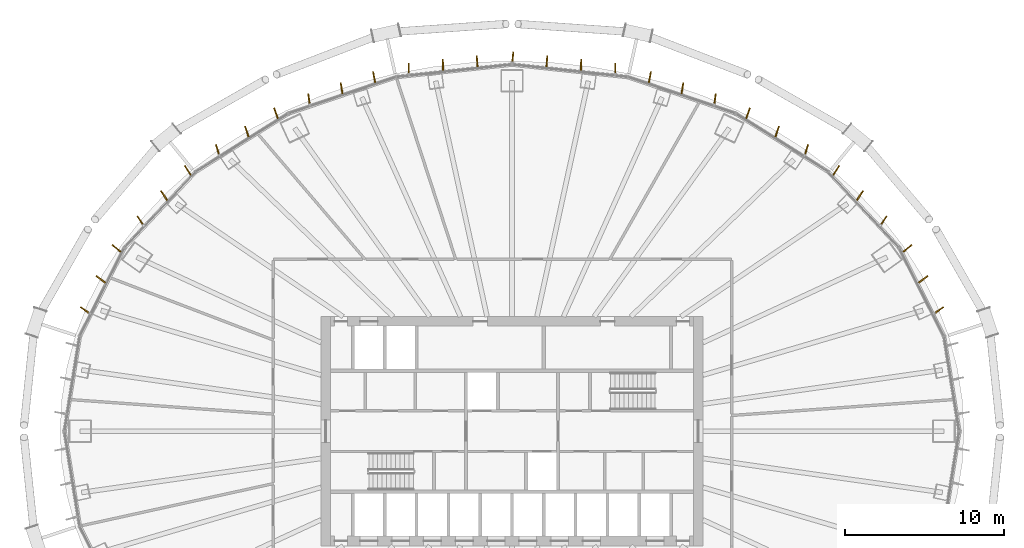
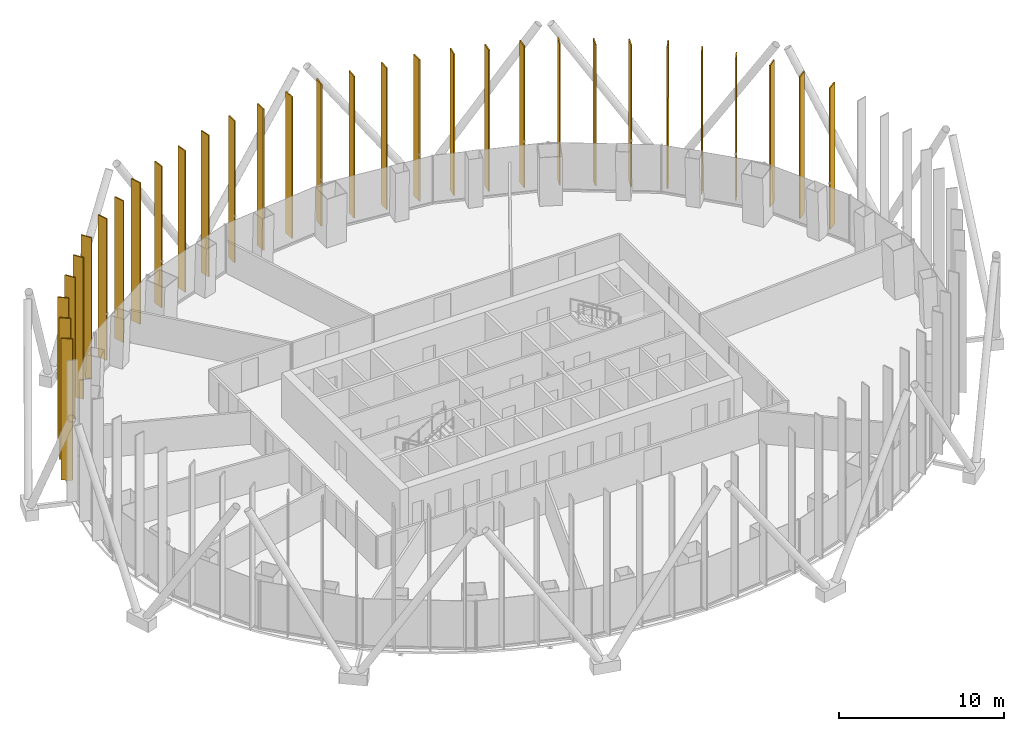
# One storey, part 22 of 22: 31 shading devices.
"""IFC4 building model written with IfcOpenShell, lengths in metres."""

from ifc_helpers import new_model, si_unit, direction, frame, origin, origin_2d, place, context, subcontext, project, spatial, rectangle, extrude, material, layer, layer_set, type_object, element, save


model = new_model("IFC4")

# Units and contexts
model_context = context("Model", 3, precision=1e-05, world=origin(), true_north=direction((0.0, 1.0)))
body_context = subcontext(model_context, "Body", "Model", "MODEL_VIEW")
ifc_project = project(units=[si_unit("LENGTHUNIT", "METRE"), si_unit("AREAUNIT", "SQUARE_METRE"), si_unit("VOLUMEUNIT", "CUBIC_METRE"), si_unit("PLANEANGLEUNIT", "RADIAN"), si_unit("MASSUNIT", "GRAM", prefix="KILO")], contexts=[model_context])

# Site, building, storey
site_placement = place(None, origin())
site = spatial("IfcSite", under=ifc_project, at=site_placement, CompositionType="ELEMENT")
building_placement = place(site_placement, origin())
building = spatial("IfcBuilding", under=site, at=building_placement, Name="Siaravel Broadcast Tower", CompositionType="ELEMENT")
storey_placement = place(building_placement, frame((0.0, 0.0, 37.10009765625)))
storey = spatial("IfcBuildingStorey", under=building, at=storey_placement, Name="L07", CompositionType="ELEMENT", Elevation=37.10009765625)

# Shading devices
ifc_material = material(Name="Bronze anodised aluminium", Category="aluminium")
ifc_layer = layer(ifc_material, 0.080078125)
ifc_layer_set = layer_set([ifc_layer], Name="Bronze anodised aluminium")
shading_device_type = type_object("IfcShadingDeviceType", Name="Bronze fin zone 1", PredefinedType="USERDEFINED", material=ifc_layer_set)
for number, where, z_axis, x_axis, name in (
    (1, (26.828125, 7.600830078125, 0.2998046875), (0.0, 0.0, 1.0), (0.815676422, 0.578508404, 0.0), "Bronze fin L07-04"),
    (2, (25.841552734375, 9.54736328125, 0.2998046875), (0.0, 0.0, 1.0), (0.796221689, 0.605004977, 0.0), "Bronze fin L07-05"),
    (3, (24.856201171875, 11.4921875, 0.2998046875), (0.0, 0.0, 1.0), (0.779806914, 0.626020109, 0.0), "Bronze fin L07-06"),
    (4, (23.35498046875, 13.224365234375, 0.2998046875), (0.0, 0.0, 1.0), (0.556990135, 0.830519109, 0.0), "Bronze fin L07-07"),
    (5, (21.8671875, 14.81103515625, 0.2998046875), (0.0, 0.0, 1.0), (0.546869332, 0.837217973, 0.0), "Bronze fin L07-08"),
    (6, (20.381591796875, 16.396484375, 0.2998046875), (0.0, 0.0, 1.0), (0.542812442, 0.839853947, 0.0), "Bronze fin L07-09"),
    (7, (18.501953125, 17.676025390625, 0.2998046875), (0.0, 0.0, 1.0), (0.313738915, 0.949509291, 0.0), "Bronze fin L07-10"),
    (8, (16.6669921875, 18.830322265625, 0.2998046875), (0.0, 0.0, 1.0), (0.322176474, 0.946679629, 0.0), "Bronze fin L07-11"),
    (9, (14.833984375, 19.98388671875, 0.2998046875), (0.0, 0.0, 1.0), (0.336571033, 0.94165808, 0.0), "Bronze fin L07-12"),
    (10, (12.75732421875, 20.860595703125, 0.2998046875), (0.0, 0.0, 1.0), (0.129261166, 0.991610584, 0.0), "Bronze fin L07-13"),
    (11, (10.710205078125, 21.556884765625, 0.2998046875), (0.0, 0.0, 1.0), (0.154329301, 0.988019467, 0.0), "Bronze fin L07-14"),
    (12, (8.664794921875, 22.25244140625, 0.2998046875), (0.0, 0.0, 1.0), (0.183573917, 0.983005909, 0.0), "Bronze fin L07-15"),
    (13, (6.48486328125, 22.78857421875, 0.2998046875), (0.0, 0.0, 1.0), (-0.002403316, 0.999997112, 0.0), "Bronze fin L07-16"),
    (14, (4.338623046875, 23.02099609375, 0.2998046875), (0.0, 0.0, 1.0), (0.032703383, 0.999465101, 0.0), "Bronze fin L07-17"),
    (15, (2.193359375, 23.253173828125, 0.2998046875), (0.0, 0.0, 1.0), (0.069711206, 0.997567215, 0.0), "Bronze fin L07-18"),
    (16, (0.048095703125, 23.484619140625, 0.2998046875), (0.0, 0.0, 1.0), (0.107216783, 0.994235667, 0.0), "Bronze fin L07-19"),
    (17, (-2.193359375, 23.253173828125, 0.2998046875), (0.0, 0.0, 1.0), (-0.069711206, 0.997567215, 0.0), "Bronze fin L07-20"),
    (18, (-4.338623046875, 23.02099609375, 0.2998046875), (0.0, 0.0, 1.0), (-0.032703383, 0.999465101, 0.0), "Bronze fin L07-21"),
    (19, (-6.48486328125, 22.78857421875, 0.2998046875), (0.0, 0.0, 1.0), (0.002403316, 0.999997112, 0.0), "Bronze fin L07-22"),
    (20, (-8.664794921875, 22.25244140625, 0.2998046875), (0.0, 0.0, 1.0), (-0.183573917, 0.983005909, 0.0), "Bronze fin L07-23"),
    (21, (-10.710205078125, 21.556884765625, 0.2998046875), (0.0, 0.0, 1.0), (-0.154329301, 0.988019467, 0.0), "Bronze fin L07-24"),
    (22, (-12.75732421875, 20.860595703125, 0.2998046875), (0.0, 0.0, 1.0), (-0.129261166, 0.991610584, 0.0), "Bronze fin L07-25"),
    (23, (-14.833984375, 19.98388671875, 0.2998046875), (0.0, 0.0, 1.0), (-0.336571033, 0.94165808, 0.0), "Bronze fin L07-26"),
    (24, (-16.6669921875, 18.830322265625, 0.2998046875), (0.0, 0.0, 1.0), (-0.322176474, 0.946679629, 0.0), "Bronze fin L07-27"),
    (25, (-18.501953125, 17.676025390625, 0.2998046875), (0.0, 0.0, 1.0), (-0.313738915, 0.949509291, 0.0), "Bronze fin L07-28"),
    (26, (-20.381591796875, 16.396484375, 0.2998046875), (0.0, 0.0, 1.0), (-0.542812442, 0.839853947, 0.0), "Bronze fin L07-29"),
    (27, (-21.8671875, 14.81103515625, 0.2998046875), (0.0, 0.0, 1.0), (-0.546869332, 0.837217973, 0.0), "Bronze fin L07-30"),
    (28, (-23.35498046875, 13.224365234375, 0.2998046875), (0.0, 0.0, 1.0), (-0.556990135, 0.830519109, 0.0), "Bronze fin L07-31"),
    (29, (-24.856201171875, 11.4921875, 0.2998046875), (0.0, 0.0, 1.0), (-0.779806914, 0.626020109, 0.0), "Bronze fin L07-32"),
    (30, (-25.841552734375, 9.54736328125, 0.2998046875), (0.0, 0.0, 1.0), (-0.796221689, 0.605004977, 0.0), "Bronze fin L07-33"),
    (31, (-26.828125, 7.600830078125, 0.2998046875), (0.0, 0.0, 1.0), (-0.815676422, 0.578508404, 0.0), "Bronze fin L07-34"),
):
    element("IfcShadingDevice", number, at=place(storey_placement, frame(where, z_axis=z_axis, x_axis=x_axis)), inside=storey, type_object=shading_device_type, Name=name, ObjectType="FIN", PredefinedType="USERDEFINED", context=body_context, shape_type="SweptSolid", body=[
        extrude(rectangle(XDim=0.699951171875, YDim=0.080078125, at=origin_2d()), origin(), (0.0, 0.0, 1.0), 10.5),
    ])

save(model, "model.ifc")
